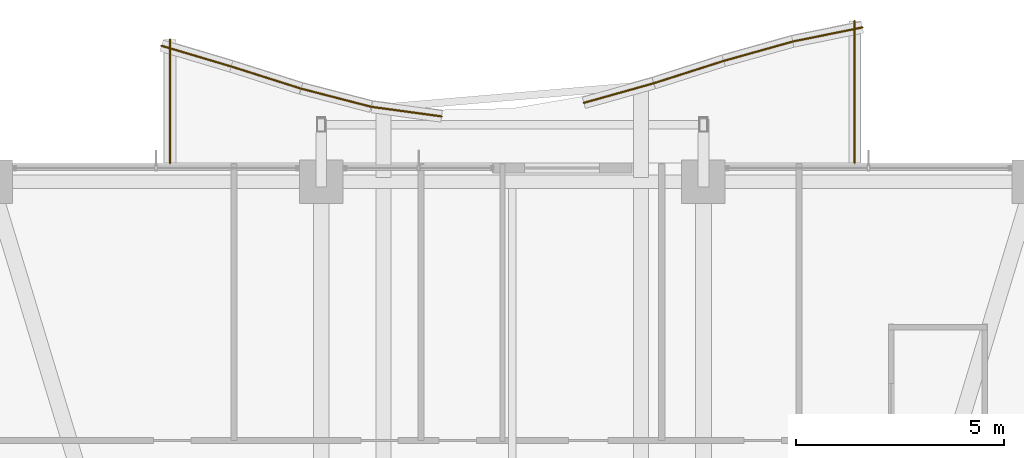
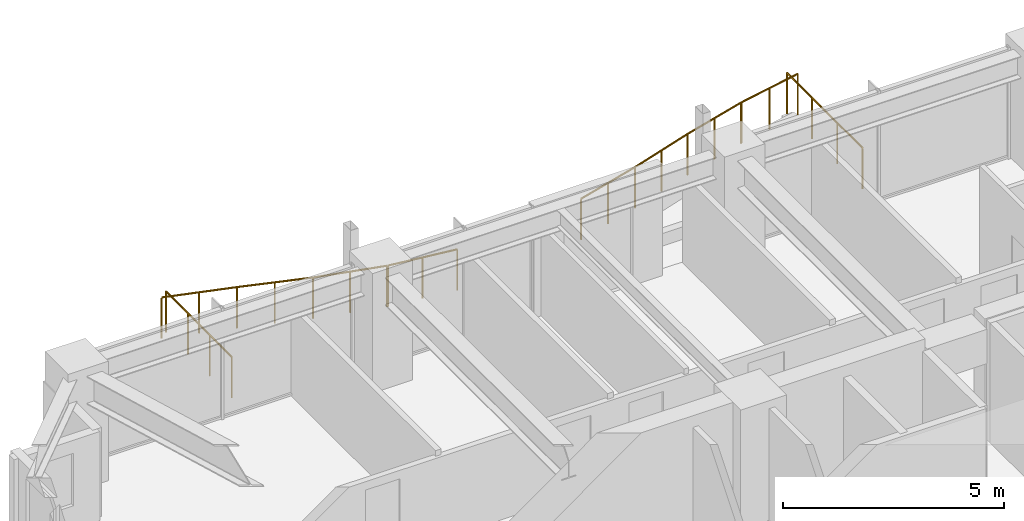
# One storey, part 34 of 34: 10 railings.
"""IFC4 building model written with IfcOpenShell, lengths in metres."""

from ifc_helpers import new_model, si_unit, direction, frame, origin, origin_2d, place, context, subcontext, project, spatial, circle, extrude, material, type_object, element, save


model = new_model("IFC4")

# Units and contexts
model_context = context("Model", 3, precision=1e-05, world=origin(), true_north=direction((0.0, 1.0)))
body_context = subcontext(model_context, "Body", "Model", "MODEL_VIEW")
ifc_project = project(units=[si_unit("LENGTHUNIT", "METRE"), si_unit("AREAUNIT", "SQUARE_METRE"), si_unit("VOLUMEUNIT", "CUBIC_METRE"), si_unit("PLANEANGLEUNIT", "RADIAN"), si_unit("MASSUNIT", "GRAM", prefix="KILO")], contexts=[model_context])

# Site, building, storey
site_placement = place(None, origin())
site = spatial("IfcSite", under=ifc_project, at=site_placement, CompositionType="ELEMENT")
building_placement = place(site_placement, origin())
building = spatial("IfcBuilding", under=site, at=building_placement, Name="Kolvaren Belvedere", CompositionType="ELEMENT")
storey_placement = place(building_placement, frame((0.0, 0.0, 111.800048828125)))
storey = spatial("IfcBuildingStorey", under=building, at=storey_placement, Name="L32", CompositionType="ELEMENT", Elevation=111.800048828125)

# Railings
ifc_material = material(Name="Anodised pale-metal aluminium & laminated glass guard", Category="aluminium")
railing_type = type_object("IfcRailingType", Name="RL-GUARD-1150", PredefinedType="GUARDRAIL", material=ifc_material)
railing_1_placement = place(storey_placement, frame((8.239990234375, 19.10009765625, 0.3798828125)))
element("IfcRailing", 1, at=railing_1_placement, inside=storey, type_object=railing_type, Name="L32 Exterior Deck Safety Guard BAL-N-11", PredefinedType="GUARDRAIL", context=body_context, shape_type="SweptSolid", body=[
    extrude(circle(Radius=0.02392578125, at=origin_2d()), frame((0.0, 0.0, 1.1259765625), z_axis=(0.0, 1.0, 0.0), x_axis=(-1.0, 0.0, 0.0)), (0.0, 0.0, 1.0), 3.419921875),
    extrude(circle(Radius=0.02099609375, at=origin_2d()), origin(), (0.0, 0.0, 1.0), 1.101806640625),
    extrude(circle(Radius=0.02099609375, at=origin_2d()), frame((0.0, 1.139892578125, 0.0)), (0.0, 0.0, 1.0), 1.101806640625),
    extrude(circle(Radius=0.02099609375, at=origin_2d()), frame((0.0, 2.280029296875, 0.0)), (0.0, 0.0, 1.0), 1.101806640625),
    extrude(circle(Radius=0.02099609375, at=origin_2d()), frame((0.0, 3.419921875, 0.0)), (0.0, 0.0, 1.0), 1.101806640625),
])
railing_2_placement = place(storey_placement, frame((8.431884765625, 22.36328125, 0.3798828125)))
element("IfcRailing", 2, at=railing_2_placement, inside=storey, type_object=railing_type, Name="L32 Exterior Deck Safety Guard BAL-N-12", PredefinedType="GUARDRAIL", context=body_context, shape_type="SweptSolid", body=[
    extrude(circle(Radius=0.02392578125, at=origin_2d()), frame((0.0, 0.0, 1.1259765625), z_axis=(-0.980040240687, -0.198799211857, 0.0), x_axis=(0.198799211857, -0.980040240687, 0.0)), (0.0, 0.0, 1.0), 1.71435546875),
    extrude(circle(Radius=0.02099609375, at=origin_2d()), origin(), (0.0, 0.0, 1.0), 1.101806640625),
    extrude(circle(Radius=0.02099609375, at=origin_2d()), frame((-0.840087890625, -0.17041015625, 0.0)), (0.0, 0.0, 1.0), 1.101806640625),
    extrude(circle(Radius=0.02099609375, at=origin_2d()), frame((-1.68017578125, -0.3408203125, 0.0)), (0.0, 0.0, 1.0), 1.101806640625),
])
railing_3_placement = place(storey_placement, frame((6.76318359375, 22.025146484375, 0.3798828125)))
element("IfcRailing", 3, at=railing_3_placement, inside=storey, type_object=railing_type, Name="L32 Exterior Deck Safety Guard BAL-N-13", PredefinedType="GUARDRAIL", context=body_context, shape_type="SweptSolid", body=[
    extrude(circle(Radius=0.02392578125, at=origin_2d()), frame((0.0, 0.0, 1.1259765625), z_axis=(-0.962916043401, -0.269801210823, 0.0), x_axis=(0.269801210823, -0.962916043401, 0.0)), (0.0, 0.0, 1.0), 1.74462890625),
    extrude(circle(Radius=0.02099609375, at=origin_2d()), origin(), (0.0, 0.0, 1.0), 1.101806640625),
    extrude(circle(Radius=0.02099609375, at=origin_2d()), frame((-0.83984375, -0.2353515625, 0.0)), (0.0, 0.0, 1.0), 1.101806640625),
    extrude(circle(Radius=0.02099609375, at=origin_2d()), frame((-1.679931640625, -0.470703125, 0.0)), (0.0, 0.0, 1.0), 1.101806640625),
])
railing_4_placement = place(storey_placement, frame((5.088623046875, 21.55615234375, 0.3798828125)))
element("IfcRailing", 4, at=railing_4_placement, inside=storey, type_object=railing_type, Name="L32 Exterior Deck Safety Guard BAL-N-14", PredefinedType="GUARDRAIL", context=body_context, shape_type="SweptSolid", body=[
    extrude(circle(Radius=0.02392578125, at=origin_2d()), frame((0.0, 0.0, 1.1259765625), z_axis=(-0.952501264923, -0.304534629099, 0.0), x_axis=(0.304534629099, -0.952501264923, 0.0)), (0.0, 0.0, 1.0), 1.763671875),
    extrude(circle(Radius=0.02099609375, at=origin_2d()), origin(), (0.0, 0.0, 1.0), 1.101806640625),
    extrude(circle(Radius=0.02099609375, at=origin_2d()), frame((-0.83984375, -0.2685546875, 0.0)), (0.0, 0.0, 1.0), 1.101806640625),
    extrude(circle(Radius=0.02099609375, at=origin_2d()), frame((-1.679931640625, -0.537109375, 0.0)), (0.0, 0.0, 1.0), 1.101806640625),
])
railing_5_placement = place(storey_placement, frame((3.4033203125, 21.017333984375, 0.3798828125)))
element("IfcRailing", 5, at=railing_5_placement, inside=storey, type_object=railing_type, Name="L32 Exterior Deck Safety Guard BAL-N-15", PredefinedType="GUARDRAIL", context=body_context, shape_type="SweptSolid", body=[
    extrude(circle(Radius=0.02392578125, at=origin_2d()), frame((0.0, 0.0, 1.1259765625), z_axis=(-0.962926227834, -0.269764860108, 0.0), x_axis=(0.269764860108, -0.962926227834, 0.0)), (0.0, 0.0, 1.0), 1.744873046875),
    extrude(circle(Radius=0.02099609375, at=origin_2d()), origin(), (0.0, 0.0, 1.0), 1.101806640625),
    extrude(circle(Radius=0.02099609375, at=origin_2d()), frame((-0.840087890625, -0.2353515625, 0.0)), (0.0, 0.0, 1.0), 1.101806640625),
    extrude(circle(Radius=0.02099609375, at=origin_2d()), frame((-1.68017578125, -0.470703125, 0.0)), (0.0, 0.0, 1.0), 1.101806640625),
])
railing_6_placement = place(storey_placement, frame((-1.70166015625, 20.220703125, 0.3798828125)))
element("IfcRailing", 6, at=railing_6_placement, inside=storey, type_object=railing_type, Name="L32 Exterior Deck Safety Guard BAL-N-18", PredefinedType="GUARDRAIL", context=body_context, shape_type="SweptSolid", body=[
    extrude(circle(Radius=0.02392578125, at=origin_2d()), frame((0.0, 0.0, 1.1259765625), z_axis=(-0.990874803987, 0.134785469631, 0.0), x_axis=(-0.134785469631, -0.990874803987, 0.0)), (0.0, 0.0, 1.0), 1.6953125),
    extrude(circle(Radius=0.02099609375, at=origin_2d()), origin(), (0.0, 0.0, 1.0), 1.101806640625),
    extrude(circle(Radius=0.02099609375, at=origin_2d()), frame((-0.83984375, 0.1142578125, 0.0)), (0.0, 0.0, 1.0), 1.101806640625),
    extrude(circle(Radius=0.02099609375, at=origin_2d()), frame((-1.679931640625, 0.228515625, 0.0)), (0.0, 0.0, 1.0), 1.101806640625),
])
railing_7_placement = place(storey_placement, frame((-3.400146484375, 20.452880859375, 0.3798828125)))
element("IfcRailing", 7, at=railing_7_placement, inside=storey, type_object=railing_type, Name="L32 Exterior Deck Safety Guard BAL-N-19", PredefinedType="GUARDRAIL", context=body_context, shape_type="SweptSolid", body=[
    extrude(circle(Radius=0.02392578125, at=origin_2d()), frame((0.0, 0.0, 1.1259765625), z_axis=(-0.968132209145, 0.250439664624, 0.0), x_axis=(-0.250439664624, -0.968132209145, 0.0)), (0.0, 0.0, 1.0), 1.7353515625),
    extrude(circle(Radius=0.02099609375, at=origin_2d()), origin(), (0.0, 0.0, 1.0), 1.101806640625),
    extrude(circle(Radius=0.02099609375, at=origin_2d()), frame((-0.83984375, 0.21728515625, 0.0)), (0.0, 0.0, 1.0), 1.101806640625),
    extrude(circle(Radius=0.02099609375, at=origin_2d()), frame((-1.679931640625, 0.4345703125, 0.0)), (0.0, 0.0, 1.0), 1.101806640625),
])
railing_8_placement = place(storey_placement, frame((-5.08837890625, 20.889892578125, 0.3798828125)))
element("IfcRailing", 8, at=railing_8_placement, inside=storey, type_object=railing_type, Name="L32 Exterior Deck Safety Guard BAL-N-20", PredefinedType="GUARDRAIL", context=body_context, shape_type="SweptSolid", body=[
    extrude(circle(Radius=0.02392578125, at=origin_2d()), frame((0.0, 0.0, 1.1259765625), z_axis=(-0.953181954832, 0.302397356111, 0.0), x_axis=(-0.302397356111, -0.953181954832, 0.0)), (0.0, 0.0, 1.0), 1.762451171875),
    extrude(circle(Radius=0.02099609375, at=origin_2d()), origin(), (0.0, 0.0, 1.0), 1.101806640625),
    extrude(circle(Radius=0.02099609375, at=origin_2d()), frame((-0.83984375, 0.2666015625, 0.0)), (0.0, 0.0, 1.0), 1.101806640625),
    extrude(circle(Radius=0.02099609375, at=origin_2d()), frame((-1.679931640625, 0.532958984375, 0.0)), (0.0, 0.0, 1.0), 1.101806640625),
])
railing_9_placement = place(storey_placement, frame((-6.765625, 21.422119140625, 0.3798828125)))
element("IfcRailing", 9, at=railing_9_placement, inside=storey, type_object=railing_type, Name="L32 Exterior Deck Safety Guard BAL-N-21", PredefinedType="GUARDRAIL", context=body_context, shape_type="SweptSolid", body=[
    extrude(circle(Radius=0.02392578125, at=origin_2d()), frame((0.0, 0.0, 1.1259765625), z_axis=(-0.95856309129, 0.284880325779, 0.0), x_axis=(-0.284880325779, -0.95856309129, 0.0)), (0.0, 0.0, 1.0), 1.75244140625),
    extrude(circle(Radius=0.02099609375, at=origin_2d()), origin(), (0.0, 0.0, 1.0), 1.101806640625),
    extrude(circle(Radius=0.02099609375, at=origin_2d()), frame((-0.83984375, 0.24951171875, 0.0)), (0.0, 0.0, 1.0), 1.101806640625),
    extrude(circle(Radius=0.02099609375, at=origin_2d()), frame((-1.679931640625, 0.499267578125, 0.0)), (0.0, 0.0, 1.0), 1.101806640625),
])
railing_10_placement = place(storey_placement, frame((-8.239990234375, 22.07470703125, 0.3798828125)))
element("IfcRailing", 10, at=railing_10_placement, inside=storey, type_object=railing_type, Name="L32 Exterior Deck Safety Guard BAL-N-22", PredefinedType="GUARDRAIL", context=body_context, shape_type="SweptSolid", body=[
    extrude(circle(Radius=0.02392578125, at=origin_2d()), frame((0.0, 0.0, 1.1259765625), z_axis=(0.0, -1.0, 0.0), x_axis=(1.0, 0.0, 0.0)), (0.0, 0.0, 1.0), 2.974609375),
    extrude(circle(Radius=0.02099609375, at=origin_2d()), origin(), (0.0, 0.0, 1.0), 1.101806640625),
    extrude(circle(Radius=0.02099609375, at=origin_2d()), frame((0.0, -0.991455078125, 0.0)), (0.0, 0.0, 1.0), 1.101806640625),
    extrude(circle(Radius=0.02099609375, at=origin_2d()), frame((0.0, -1.983154296875, 0.0)), (0.0, 0.0, 1.0), 1.101806640625),
    extrude(circle(Radius=0.02099609375, at=origin_2d()), frame((0.0, -2.974609375, 0.0)), (0.0, 0.0, 1.0), 1.101806640625),
])

save(model, "model.ifc")
